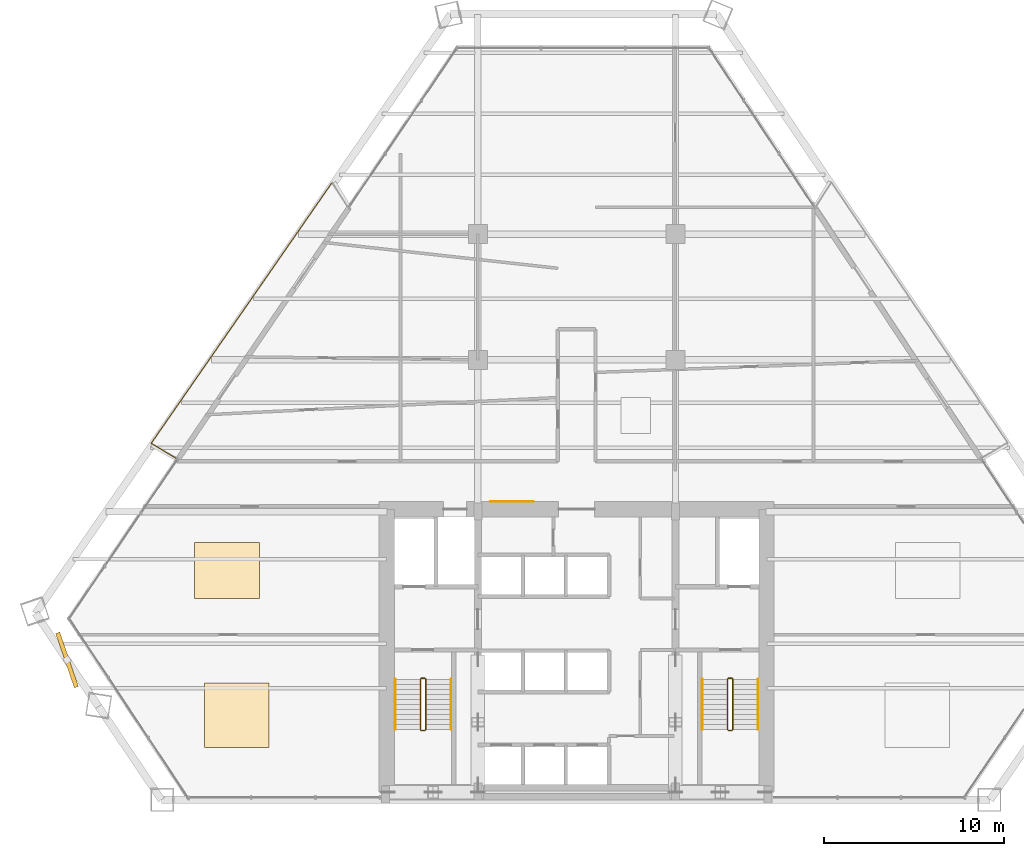
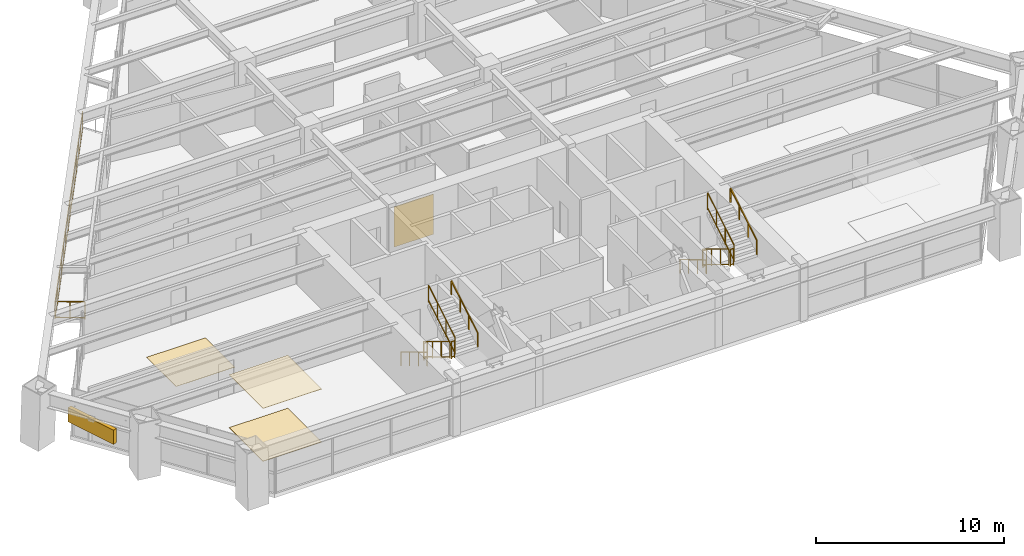
# One storey, part 13 of 14: 14 railings, 4 coverings, 1 shading device.
"""IFC4 building model written with IfcOpenShell, lengths in metres."""

from ifc_helpers import new_model, si_unit, direction, frame, origin, origin_2d, place, context, subcontext, project, spatial, rectangle, extrude, source, transform, mapped, material, layer, layer_set, type_object, type_shapes, element, save


model = new_model("IFC4")

# Units and contexts
model_context = context("Model", 3, precision=1e-05, world=origin(), true_north=direction((0.0, 1.0)))
body_context = subcontext(model_context, "Body", "Model", "MODEL_VIEW")
ifc_project = project(units=[si_unit("LENGTHUNIT", "METRE"), si_unit("AREAUNIT", "SQUARE_METRE"), si_unit("VOLUMEUNIT", "CUBIC_METRE"), si_unit("PLANEANGLEUNIT", "RADIAN"), si_unit("MASSUNIT", "GRAM", prefix="KILO")], contexts=[model_context])

# Site, building, storey
site_placement = place(None, origin())
site = spatial("IfcSite", under=ifc_project, at=site_placement, CompositionType="ELEMENT")
building_placement = place(site_placement, origin())
building = spatial("IfcBuilding", under=site, at=building_placement, Name="Varnakhor Terracotta Tower", CompositionType="ELEMENT")
storey_placement = place(building_placement, frame((0.0, 0.0, 60.800048828125)))
storey = spatial("IfcBuildingStorey", under=building, at=storey_placement, Name="L14", CompositionType="ELEMENT", Elevation=60.800048828125)

# Railings
ifc_material_1 = material(Name="Stainless Steel & Laminated Glass Guardrail", Category="steel")
railing_type_1 = type_object("IfcRailingType", Name="RLG-LOGGIA-GUARD-1150", PredefinedType="GUARDRAIL", material=ifc_material_1)
railing_1_placement = place(storey_placement, frame((-22.32861328125, 19.02880859375, 0.0)))
element("IfcRailing", 1, at=railing_1_placement, inside=storey, type_object=railing_type_1, Name="L14 W Loggia Glass Guard 1", PredefinedType="GUARDRAIL", context=body_context, shape_type="SweptSolid", body=[
    extrude(rectangle(XDim=0.048095703125, YDim=0.048095703125, at=origin_2d()), frame((0.0, 0.0, 1.1259765625), z_axis=(-0.855799762357, 0.517307226655, 0.0), x_axis=(-0.517307226655, -0.855799762357, 0.0)), (0.0, 0.0, 1.0), 1.5947265625),
    extrude(rectangle(XDim=0.048095703125, YDim=0.048095703125, at=origin_2d()), frame((0.0, 0.0, 0.10009765625), z_axis=(-0.855799762357, 0.517307226655, 0.0), x_axis=(-0.517307226655, -0.855799762357, 0.0)), (0.0, 0.0, 1.0), 1.5947265625),
    extrude(rectangle(XDim=0.0419921875, YDim=0.0419921875, at=origin_2d()), origin(), (0.0, 0.0, 1.0), 1.101806640625),
    extrude(rectangle(XDim=0.0419921875, YDim=0.0419921875, at=origin_2d()), frame((-0.682373046875, 0.41259765625, 0.0)), (0.0, 0.0, 1.0), 1.101806640625),
    extrude(rectangle(XDim=0.0419921875, YDim=0.0419921875, at=origin_2d()), frame((-1.36474609375, 0.824951171875, 0.0)), (0.0, 0.0, 1.0), 1.101806640625),
])
railing_2_placement = place(storey_placement, frame((-23.693359375, 19.853759765625, 0.0)))
element("IfcRailing", 2, at=railing_2_placement, inside=storey, type_object=railing_type_1, Name="L14 W Loggia Glass Guard 2", PredefinedType="GUARDRAIL", context=body_context, shape_type="SweptSolid", body=[
    extrude(rectangle(XDim=0.048095703125, YDim=0.048095703125, at=origin_2d()), frame((0.0, 0.0, 1.1259765625), z_axis=(0.569876975258, 0.821730024443, 0.0), x_axis=(-0.821730024443, 0.569876975258, 0.0)), (0.0, 0.0, 1.0), 17.658203125),
    extrude(rectangle(XDim=0.048095703125, YDim=0.048095703125, at=origin_2d()), frame((0.0, 0.0, 0.10009765625), z_axis=(0.569876975258, 0.821730024443, 0.0), x_axis=(-0.821730024443, 0.569876975258, 0.0)), (0.0, 0.0, 1.0), 17.658203125),
    extrude(rectangle(XDim=0.0419921875, YDim=0.0419921875, at=origin_2d()), origin(), (0.0, 0.0, 1.0), 1.101806640625),
    extrude(rectangle(XDim=0.0419921875, YDim=0.0419921875, at=origin_2d()), frame((0.774169921875, 1.1162109375, 0.0)), (0.0, 0.0, 1.0), 1.101806640625),
    extrude(rectangle(XDim=0.0419921875, YDim=0.0419921875, at=origin_2d()), frame((1.548095703125, 2.232421875, 0.0)), (0.0, 0.0, 1.0), 1.101806640625),
    extrude(rectangle(XDim=0.0419921875, YDim=0.0419921875, at=origin_2d()), frame((2.322265625, 3.3486328125, 0.0)), (0.0, 0.0, 1.0), 1.101806640625),
    extrude(rectangle(XDim=0.0419921875, YDim=0.0419921875, at=origin_2d()), frame((3.09619140625, 4.464599609375, 0.0)), (0.0, 0.0, 1.0), 1.101806640625),
    extrude(rectangle(XDim=0.0419921875, YDim=0.0419921875, at=origin_2d()), frame((3.870361328125, 5.580810546875, 0.0)), (0.0, 0.0, 1.0), 1.101806640625),
    extrude(rectangle(XDim=0.0419921875, YDim=0.0419921875, at=origin_2d()), frame((4.64453125, 6.697021484375, 0.0)), (0.0, 0.0, 1.0), 1.101806640625),
    extrude(rectangle(XDim=0.0419921875, YDim=0.0419921875, at=origin_2d()), frame((5.41845703125, 7.813232421875, 0.0)), (0.0, 0.0, 1.0), 1.101806640625),
    extrude(rectangle(XDim=0.0419921875, YDim=0.0419921875, at=origin_2d()), frame((6.192626953125, 8.929443359375, 0.0)), (0.0, 0.0, 1.0), 1.101806640625),
    extrude(rectangle(XDim=0.0419921875, YDim=0.0419921875, at=origin_2d()), frame((6.966796875, 10.045654296875, 0.0)), (0.0, 0.0, 1.0), 1.101806640625),
    extrude(rectangle(XDim=0.0419921875, YDim=0.0419921875, at=origin_2d()), frame((7.74072265625, 11.16162109375, 0.0)), (0.0, 0.0, 1.0), 1.101806640625),
    extrude(rectangle(XDim=0.0419921875, YDim=0.0419921875, at=origin_2d()), frame((8.514892578125, 12.27783203125, 0.0)), (0.0, 0.0, 1.0), 1.101806640625),
    extrude(rectangle(XDim=0.0419921875, YDim=0.0419921875, at=origin_2d()), frame((9.288818359375, 13.39404296875, 0.0)), (0.0, 0.0, 1.0), 1.101806640625),
    extrude(rectangle(XDim=0.0419921875, YDim=0.0419921875, at=origin_2d()), frame((10.06298828125, 14.51025390625, 0.0)), (0.0, 0.0, 1.0), 1.101806640625),
])
ifc_material_2 = material(Name="Painted Steel Stairwell Guardrail", Category="steel")
railing_type_2 = type_object("IfcRailingType", Name="RLG-STAIR-GUARD-1120", PredefinedType="GUARDRAIL", material=ifc_material_2)
railing_3_placement = place(storey_placement, frame((-8.699951171875, 6.7099609375, 0.168212890625)))
element("IfcRailing", 3, at=railing_3_placement, inside=storey, type_object=railing_type_2, Name="L14 ST-1 stair guard 1", PredefinedType="GUARDRAIL", context=body_context, shape_type="SweptSolid", body=[
    extrude(rectangle(XDim=0.048095703125, YDim=0.048095703125, at=origin_2d()), frame((0.0, 0.0, 1.09619140625), z_axis=(0.0, -0.857275202839, 0.514858452973), x_axis=(1.0, 0.0, 0.0)), (0.0, 0.0, 1.0), 3.26611328125),
    extrude(rectangle(XDim=0.048095703125, YDim=0.048095703125, at=origin_2d()), frame((0.0, 0.0, 0.10009765625), z_axis=(0.0, -0.857275202839, 0.514858452973), x_axis=(1.0, 0.0, 0.0)), (0.0, 0.0, 1.0), 3.26611328125),
    extrude(rectangle(XDim=0.0419921875, YDim=0.0419921875, at=origin_2d()), origin(), (0.0, 0.0, 1.0), 1.072021484375),
    extrude(rectangle(XDim=0.0419921875, YDim=0.0419921875, at=origin_2d()), frame((0.0, -0.933349609375, 0.560546875)), (0.0, 0.0, 1.0), 1.072021484375),
    extrude(rectangle(XDim=0.0419921875, YDim=0.0419921875, at=origin_2d()), frame((0.0, -1.86669921875, 1.12109375)), (0.0, 0.0, 1.0), 1.072021484375),
    extrude(rectangle(XDim=0.0419921875, YDim=0.0419921875, at=origin_2d()), frame((0.0, -2.800048828125, 1.681640625)), (0.0, 0.0, 1.0), 1.072021484375),
])
railing_4_placement = place(storey_placement, frame((-8.64990234375, 3.860107421875, 1.849853515625)))
element("IfcRailing", 4, at=railing_4_placement, inside=storey, type_object=railing_type_2, Name="L14 ST-1 stair guard 2", PredefinedType="GUARDRAIL", context=body_context, shape_type="SweptSolid", body=[
    extrude(rectangle(XDim=0.048095703125, YDim=0.048095703125, at=origin_2d()), frame((0.0, 0.0, 1.09619140625), z_axis=(1.0, 0.0, 0.0), x_axis=(0.0, 1.0, 0.0)), (0.0, 0.0, 1.0), 0.199951171875),
    extrude(rectangle(XDim=0.048095703125, YDim=0.048095703125, at=origin_2d()), frame((0.0, 0.0, 0.10009765625), z_axis=(1.0, 0.0, 0.0), x_axis=(0.0, 1.0, 0.0)), (0.0, 0.0, 1.0), 0.199951171875),
    extrude(rectangle(XDim=0.0419921875, YDim=0.0419921875, at=origin_2d()), origin(), (0.0, 0.0, 1.0), 1.072021484375),
    extrude(rectangle(XDim=0.0419921875, YDim=0.0419921875, at=origin_2d()), frame((0.199951171875, 0.0, 0.0)), (0.0, 0.0, 1.0), 1.072021484375),
])
railing_5_placement = place(storey_placement, frame((-8.39990234375, 3.909912109375, 2.01806640625)))
element("IfcRailing", 5, at=railing_5_placement, inside=storey, type_object=railing_type_2, Name="L14 ST-1 stair guard 3", PredefinedType="GUARDRAIL", context=body_context, shape_type="SweptSolid", body=[
    extrude(rectangle(XDim=0.048095703125, YDim=0.048095703125, at=origin_2d()), frame((0.0, 0.0, 1.09619140625), z_axis=(0.0, 0.857242210791, 0.514913383045), x_axis=(-1.0, 0.0, 0.0)), (0.0, 0.0, 1.0), 3.266357421875),
    extrude(rectangle(XDim=0.048095703125, YDim=0.048095703125, at=origin_2d()), frame((0.0, 0.0, 0.10009765625), z_axis=(0.0, 0.857242210791, 0.514913383045), x_axis=(-1.0, 0.0, 0.0)), (0.0, 0.0, 1.0), 3.266357421875),
    extrude(rectangle(XDim=0.0419921875, YDim=0.0419921875, at=origin_2d()), origin(), (0.0, 0.0, 1.0), 1.072021484375),
    extrude(rectangle(XDim=0.0419921875, YDim=0.0419921875, at=origin_2d()), frame((0.0, 0.933349609375, 0.560546875)), (0.0, 0.0, 1.0), 1.072021484375),
    extrude(rectangle(XDim=0.0419921875, YDim=0.0419921875, at=origin_2d()), frame((0.0, 1.86669921875, 1.121337890625)), (0.0, 0.0, 1.0), 1.072021484375),
    extrude(rectangle(XDim=0.0419921875, YDim=0.0419921875, at=origin_2d()), frame((0.0, 2.800048828125, 1.681884765625)), (0.0, 0.0, 1.0), 1.072021484375),
])
railing_6_placement = place(storey_placement, frame((-8.64990234375, 6.760009765625, 0.0)))
element("IfcRailing", 6, at=railing_6_placement, inside=storey, type_object=railing_type_2, Name="L14 ST-1 stair guard 4", PredefinedType="GUARDRAIL", context=body_context, shape_type="SweptSolid", body=[
    extrude(rectangle(XDim=0.048095703125, YDim=0.048095703125, at=origin_2d()), frame((0.0, 0.0, 1.09619140625), z_axis=(1.0, 0.0, 0.0), x_axis=(0.0, 1.0, 0.0)), (0.0, 0.0, 1.0), 0.199951171875),
    extrude(rectangle(XDim=0.048095703125, YDim=0.048095703125, at=origin_2d()), frame((0.0, 0.0, 0.10009765625), z_axis=(1.0, 0.0, 0.0), x_axis=(0.0, 1.0, 0.0)), (0.0, 0.0, 1.0), 0.199951171875),
    extrude(rectangle(XDim=0.0419921875, YDim=0.0419921875, at=origin_2d()), origin(), (0.0, 0.0, 1.0), 1.072021484375),
    extrude(rectangle(XDim=0.0419921875, YDim=0.0419921875, at=origin_2d()), frame((0.199951171875, 0.0, 0.0)), (0.0, 0.0, 1.0), 1.072021484375),
])
railing_7_placement = place(storey_placement, frame((8.39990234375, 6.7099609375, 0.168212890625)))
element("IfcRailing", 7, at=railing_7_placement, inside=storey, type_object=railing_type_2, Name="L14 ST-2 stair guard 1", PredefinedType="GUARDRAIL", context=body_context, shape_type="SweptSolid", body=[
    extrude(rectangle(XDim=0.048095703125, YDim=0.048095703125, at=origin_2d()), frame((0.0, 0.0, 1.09619140625), z_axis=(0.0, -0.857275202839, 0.514858452973), x_axis=(1.0, 0.0, 0.0)), (0.0, 0.0, 1.0), 3.26611328125),
    extrude(rectangle(XDim=0.048095703125, YDim=0.048095703125, at=origin_2d()), frame((0.0, 0.0, 0.10009765625), z_axis=(0.0, -0.857275202839, 0.514858452973), x_axis=(1.0, 0.0, 0.0)), (0.0, 0.0, 1.0), 3.26611328125),
    extrude(rectangle(XDim=0.0419921875, YDim=0.0419921875, at=origin_2d()), origin(), (0.0, 0.0, 1.0), 1.072021484375),
    extrude(rectangle(XDim=0.0419921875, YDim=0.0419921875, at=origin_2d()), frame((0.0, -0.933349609375, 0.560546875)), (0.0, 0.0, 1.0), 1.072021484375),
    extrude(rectangle(XDim=0.0419921875, YDim=0.0419921875, at=origin_2d()), frame((0.0, -1.86669921875, 1.12109375)), (0.0, 0.0, 1.0), 1.072021484375),
    extrude(rectangle(XDim=0.0419921875, YDim=0.0419921875, at=origin_2d()), frame((0.0, -2.800048828125, 1.681640625)), (0.0, 0.0, 1.0), 1.072021484375),
])
railing_8_placement = place(storey_placement, frame((8.449951171875, 3.860107421875, 1.849853515625)))
element("IfcRailing", 8, at=railing_8_placement, inside=storey, type_object=railing_type_2, Name="L14 ST-2 stair guard 2", PredefinedType="GUARDRAIL", context=body_context, shape_type="SweptSolid", body=[
    extrude(rectangle(XDim=0.048095703125, YDim=0.048095703125, at=origin_2d()), frame((0.0, 0.0, 1.09619140625), z_axis=(1.0, 0.0, 0.0), x_axis=(0.0, 1.0, 0.0)), (0.0, 0.0, 1.0), 0.199951171875),
    extrude(rectangle(XDim=0.048095703125, YDim=0.048095703125, at=origin_2d()), frame((0.0, 0.0, 0.10009765625), z_axis=(1.0, 0.0, 0.0), x_axis=(0.0, 1.0, 0.0)), (0.0, 0.0, 1.0), 0.199951171875),
    extrude(rectangle(XDim=0.0419921875, YDim=0.0419921875, at=origin_2d()), origin(), (0.0, 0.0, 1.0), 1.072021484375),
    extrude(rectangle(XDim=0.0419921875, YDim=0.0419921875, at=origin_2d()), frame((0.199951171875, 0.0, 0.0)), (0.0, 0.0, 1.0), 1.072021484375),
])
railing_9_placement = place(storey_placement, frame((8.699951171875, 3.909912109375, 2.01806640625)))
element("IfcRailing", 9, at=railing_9_placement, inside=storey, type_object=railing_type_2, Name="L14 ST-2 stair guard 3", PredefinedType="GUARDRAIL", context=body_context, shape_type="SweptSolid", body=[
    extrude(rectangle(XDim=0.048095703125, YDim=0.048095703125, at=origin_2d()), frame((0.0, 0.0, 1.09619140625), z_axis=(0.0, 0.857242210791, 0.514913383045), x_axis=(-1.0, 0.0, 0.0)), (0.0, 0.0, 1.0), 3.266357421875),
    extrude(rectangle(XDim=0.048095703125, YDim=0.048095703125, at=origin_2d()), frame((0.0, 0.0, 0.10009765625), z_axis=(0.0, 0.857242210791, 0.514913383045), x_axis=(-1.0, 0.0, 0.0)), (0.0, 0.0, 1.0), 3.266357421875),
    extrude(rectangle(XDim=0.0419921875, YDim=0.0419921875, at=origin_2d()), origin(), (0.0, 0.0, 1.0), 1.072021484375),
    extrude(rectangle(XDim=0.0419921875, YDim=0.0419921875, at=origin_2d()), frame((0.0, 0.933349609375, 0.560546875)), (0.0, 0.0, 1.0), 1.072021484375),
    extrude(rectangle(XDim=0.0419921875, YDim=0.0419921875, at=origin_2d()), frame((0.0, 1.86669921875, 1.121337890625)), (0.0, 0.0, 1.0), 1.072021484375),
    extrude(rectangle(XDim=0.0419921875, YDim=0.0419921875, at=origin_2d()), frame((0.0, 2.800048828125, 1.681884765625)), (0.0, 0.0, 1.0), 1.072021484375),
])
railing_10_placement = place(storey_placement, frame((8.449951171875, 6.760009765625, 0.0)))
element("IfcRailing", 10, at=railing_10_placement, inside=storey, type_object=railing_type_2, Name="L14 ST-2 stair guard 4", PredefinedType="GUARDRAIL", context=body_context, shape_type="SweptSolid", body=[
    extrude(rectangle(XDim=0.048095703125, YDim=0.048095703125, at=origin_2d()), frame((0.0, 0.0, 1.09619140625), z_axis=(1.0, 0.0, 0.0), x_axis=(0.0, 1.0, 0.0)), (0.0, 0.0, 1.0), 0.199951171875),
    extrude(rectangle(XDim=0.048095703125, YDim=0.048095703125, at=origin_2d()), frame((0.0, 0.0, 0.10009765625), z_axis=(1.0, 0.0, 0.0), x_axis=(0.0, 1.0, 0.0)), (0.0, 0.0, 1.0), 0.199951171875),
    extrude(rectangle(XDim=0.0419921875, YDim=0.0419921875, at=origin_2d()), origin(), (0.0, 0.0, 1.0), 1.072021484375),
    extrude(rectangle(XDim=0.0419921875, YDim=0.0419921875, at=origin_2d()), frame((0.199951171875, 0.0, 0.0)), (0.0, 0.0, 1.0), 1.072021484375),
])
ifc_material_3 = material(Name="Brushed Stainless Steel Handrail", Category="steel")
railing_type_3 = type_object("IfcRailingType", Name="RLG-STAIR-HANDRAIL-920", PredefinedType="HANDRAIL", material=ifc_material_3)
railing_11_placement = place(storey_placement, frame((-10.10009765625, 6.7099609375, 0.168212890625)))
element("IfcRailing", 11, at=railing_11_placement, inside=storey, type_object=railing_type_3, Name="L14 ST-1 stair handrail 1", PredefinedType="HANDRAIL", context=body_context, shape_type="SweptSolid", body=[
    extrude(rectangle(XDim=0.048095703125, YDim=0.048095703125, at=origin_2d()), frame((0.0, 0.0, 0.89599609375), z_axis=(0.0, -0.857275202839, 0.514858452973), x_axis=(1.0, 0.0, 0.0)), (0.0, 0.0, 1.0), 3.26611328125),
    extrude(rectangle(XDim=0.0419921875, YDim=0.0419921875, at=origin_2d()), origin(), (0.0, 0.0, 1.0), 0.871826171875),
    extrude(rectangle(XDim=0.0419921875, YDim=0.0419921875, at=origin_2d()), frame((0.0, -0.933349609375, 0.560546875)), (0.0, 0.0, 1.0), 0.871826171875),
    extrude(rectangle(XDim=0.0419921875, YDim=0.0419921875, at=origin_2d()), frame((0.0, -1.86669921875, 1.12109375)), (0.0, 0.0, 1.0), 0.871826171875),
    extrude(rectangle(XDim=0.0419921875, YDim=0.0419921875, at=origin_2d()), frame((0.0, -2.800048828125, 1.681640625)), (0.0, 0.0, 1.0), 0.871826171875),
])
railing_12_placement = place(storey_placement, frame((-7.0, 3.909912109375, 2.01806640625)))
element("IfcRailing", 12, at=railing_12_placement, inside=storey, type_object=railing_type_3, Name="L14 ST-1 stair handrail 2", PredefinedType="HANDRAIL", context=body_context, shape_type="SweptSolid", body=[
    extrude(rectangle(XDim=0.048095703125, YDim=0.048095703125, at=origin_2d()), frame((0.0, 0.0, 0.89599609375), z_axis=(0.0, 0.857242210791, 0.514913383045), x_axis=(-1.0, 0.0, 0.0)), (0.0, 0.0, 1.0), 3.266357421875),
    extrude(rectangle(XDim=0.0419921875, YDim=0.0419921875, at=origin_2d()), origin(), (0.0, 0.0, 1.0), 0.871826171875),
    extrude(rectangle(XDim=0.0419921875, YDim=0.0419921875, at=origin_2d()), frame((0.0, 0.933349609375, 0.560546875)), (0.0, 0.0, 1.0), 0.871826171875),
    extrude(rectangle(XDim=0.0419921875, YDim=0.0419921875, at=origin_2d()), frame((0.0, 1.86669921875, 1.121337890625)), (0.0, 0.0, 1.0), 0.871826171875),
    extrude(rectangle(XDim=0.0419921875, YDim=0.0419921875, at=origin_2d()), frame((0.0, 2.800048828125, 1.681884765625)), (0.0, 0.0, 1.0), 0.871826171875),
])
railing_13_placement = place(storey_placement, frame((7.0, 6.7099609375, 0.168212890625)))
element("IfcRailing", 13, at=railing_13_placement, inside=storey, type_object=railing_type_3, Name="L14 ST-2 stair handrail 1", PredefinedType="HANDRAIL", context=body_context, shape_type="SweptSolid", body=[
    extrude(rectangle(XDim=0.048095703125, YDim=0.048095703125, at=origin_2d()), frame((0.0, 0.0, 0.89599609375), z_axis=(0.0, -0.857275202839, 0.514858452973), x_axis=(1.0, 0.0, 0.0)), (0.0, 0.0, 1.0), 3.26611328125),
    extrude(rectangle(XDim=0.0419921875, YDim=0.0419921875, at=origin_2d()), origin(), (0.0, 0.0, 1.0), 0.871826171875),
    extrude(rectangle(XDim=0.0419921875, YDim=0.0419921875, at=origin_2d()), frame((0.0, -0.933349609375, 0.560546875)), (0.0, 0.0, 1.0), 0.871826171875),
    extrude(rectangle(XDim=0.0419921875, YDim=0.0419921875, at=origin_2d()), frame((0.0, -1.86669921875, 1.12109375)), (0.0, 0.0, 1.0), 0.871826171875),
    extrude(rectangle(XDim=0.0419921875, YDim=0.0419921875, at=origin_2d()), frame((0.0, -2.800048828125, 1.681640625)), (0.0, 0.0, 1.0), 0.871826171875),
])
railing_14_placement = place(storey_placement, frame((10.10009765625, 3.909912109375, 2.01806640625)))
element("IfcRailing", 14, at=railing_14_placement, inside=storey, type_object=railing_type_3, Name="L14 ST-2 stair handrail 2", PredefinedType="HANDRAIL", context=body_context, shape_type="SweptSolid", body=[
    extrude(rectangle(XDim=0.048095703125, YDim=0.048095703125, at=origin_2d()), frame((0.0, 0.0, 0.89599609375), z_axis=(0.0, 0.857242210791, 0.514913383045), x_axis=(-1.0, 0.0, 0.0)), (0.0, 0.0, 1.0), 3.266357421875),
    extrude(rectangle(XDim=0.0419921875, YDim=0.0419921875, at=origin_2d()), origin(), (0.0, 0.0, 1.0), 0.871826171875),
    extrude(rectangle(XDim=0.0419921875, YDim=0.0419921875, at=origin_2d()), frame((0.0, 0.933349609375, 0.560546875)), (0.0, 0.0, 1.0), 0.871826171875),
    extrude(rectangle(XDim=0.0419921875, YDim=0.0419921875, at=origin_2d()), frame((0.0, 1.86669921875, 1.121337890625)), (0.0, 0.0, 1.0), 0.871826171875),
    extrude(rectangle(XDim=0.0419921875, YDim=0.0419921875, at=origin_2d()), frame((0.0, 2.800048828125, 1.681884765625)), (0.0, 0.0, 1.0), 0.871826171875),
])

# Shading device
ifc_material_4 = material(Name="Extruded Architectural Terracotta Screen", Category="masonry")
shading_device_type = type_object("IfcShadingDeviceType", Name="TERRACOTTA SOLAR SCREEN W", PredefinedType="USERDEFINED", material=ifc_material_4)
shared_shape_1 = source(origin(), body_context, "Body", "SweptSolid", [
    extrude(rectangle(XDim=3.199951171875, YDim=0.239990234375, at=origin_2d()), origin(), (0.0, 0.0, 1.0), 0.919921875),
])
type_shapes(shading_device_type, [shared_shape_1])
shading_device_placement = place(storey_placement, frame((-28.383056640625, 7.787109375, 1.617919921875), z_axis=(0.0, 0.0, 1.0), x_axis=(0.325997183641, -0.945370740111, 0.0)))
element("IfcShadingDevice", 15, at=shading_device_placement, inside=storey, type_object=shading_device_type, Name="L14 W Terracotta Solar Screen", ObjectType="SCREEN", PredefinedType="USERDEFINED", context=body_context, shape_type="MappedRepresentation", body=[
    mapped(shared_shape_1, transform((0.0, 0.0, 0.0), scale=1.0)),
])

# Coverings
ifc_material_5 = material(Name="Extruded Architectural Terracotta Cladding", Category="masonry")
ifc_layer_1 = layer(ifc_material_5, 0.044921875, Name="Extruded Architectural Terracotta Cladding")
ifc_layer_set_1 = layer_set([ifc_layer_1], Name="Extruded Architectural Terracotta Cladding")
covering_type_1 = type_object("IfcCoveringType", Name="COV-CLAD-TERRACOTTA", PredefinedType="CLADDING", material=ifc_layer_set_1)
shared_shape_2 = source(origin(), body_context, "Body", "SweptSolid", [
    extrude(rectangle(XDim=2.39990234375, YDim=0.030029296875, at=origin_2d()), origin(), (0.0, 0.0, 1.0), 2.60009765625),
])
type_shapes(covering_type_1, [shared_shape_2])
covering_1_placement = place(storey_placement, frame((-3.60009765625, 16.612060546875, 0.0), z_axis=(0.0, 0.0, 1.0), x_axis=(1.0, 0.0, 0.0)))
element("IfcCovering", 16, at=covering_1_placement, inside=storey, type_object=covering_type_1, Name="L14 Core Lobby Limestone Cladding", PredefinedType="CLADDING", context=body_context, shape_type="MappedRepresentation", body=[
    mapped(shared_shape_2, transform((0.0, 0.0, 0.0), scale=1.0)),
])
ifc_material_6 = material(Name="Honed Riyadh Limestone Flooring", Category="masonry")
ifc_layer_2 = layer(ifc_material_6, 0.030029296875, Name="Honed Riyadh Limestone Flooring")
ifc_layer_set_2 = layer_set([ifc_layer_2], Name="Honed Riyadh Limestone Flooring")
covering_type_2 = type_object("IfcCoveringType", Name="COV-FLOOR-LIMESTONE", PredefinedType="FLOORING", material=ifc_layer_set_2)
shared_shape_3 = source(origin(), body_context, "Body", "SweptSolid", [
    extrude(rectangle(XDim=3.60009765625, YDim=3.60009765625, at=origin_2d()), origin(), (0.0, 0.0, 1.0), 0.02001953125),
])
covering_2_placement = place(storey_placement, frame((-18.93994140625, 4.701904296875, 0.0), z_axis=(0.0, 0.0, 1.0), x_axis=(1.0, 0.0, 0.0)))
element("IfcCovering", 17, at=covering_2_placement, inside=storey, type_object=covering_type_2, Name="L14 Honed Stone Flooring 1", PredefinedType="FLOORING", context=body_context, shape_type="MappedRepresentation", body=[
    mapped(shared_shape_3, transform((0.0, 0.0, 0.0), scale=1.0)),
])
ifc_material_7 = material(Name="Perforated Acoustic Mineral-Fibre Ceiling", Category="gypsum")
ifc_layer_3 = layer(ifc_material_7, 0.02490234375, Name="Perforated Acoustic Mineral-Fibre Ceiling")
ifc_layer_set_3 = layer_set([ifc_layer_3], Name="Perforated Acoustic Mineral-Fibre Ceiling")
covering_type_3 = type_object("IfcCoveringType", Name="COV-CEILING-ACOUSTIC", PredefinedType="CEILING", material=ifc_layer_set_3)
shared_shape_4 = source(origin(), body_context, "Body", "SweptSolid", [
    extrude(rectangle(XDim=3.60009765625, YDim=3.60009765625, at=origin_2d()), origin(), (0.0, 0.0, 1.0), 0.02392578125),
])
covering_3_placement = place(storey_placement, frame((-18.93994140625, 4.701904296875, 3.426025390625), z_axis=(0.0, 0.0, 1.0), x_axis=(1.0, 0.0, 0.0)))
element("IfcCovering", 18, at=covering_3_placement, inside=storey, type_object=covering_type_3, Name="L14 Acoustic Ceiling Panel 1", PredefinedType="CEILING", context=body_context, shape_type="MappedRepresentation", body=[
    mapped(shared_shape_4, transform((0.0, 0.0, 0.0), scale=1.0)),
])
shared_shape_5 = source(origin(), body_context, "Body", "SweptSolid", [
    extrude(rectangle(XDim=3.60009765625, YDim=3.1220703125, at=origin_2d()), origin(), (0.0, 0.0, 1.0), 0.02001953125),
])
covering_4_placement = place(storey_placement, frame((-19.47607421875, 12.763916015625, 0.0), z_axis=(0.0, 0.0, 1.0), x_axis=(1.0, 0.0, 0.0)))
element("IfcCovering", 19, at=covering_4_placement, inside=storey, type_object=covering_type_2, Name="L14 Honed Stone Flooring 3", PredefinedType="FLOORING", context=body_context, shape_type="MappedRepresentation", body=[
    mapped(shared_shape_5, transform((0.0, 0.0, 0.0), scale=1.0)),
])

save(model, "model.ifc")
